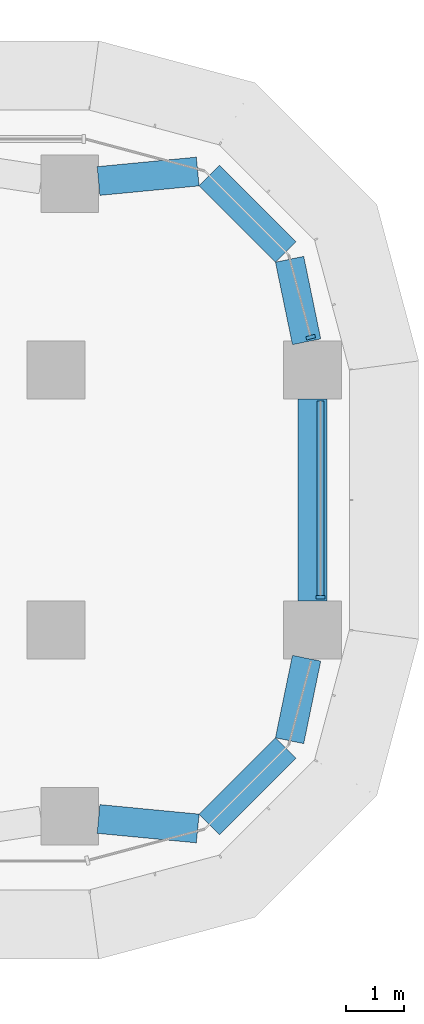
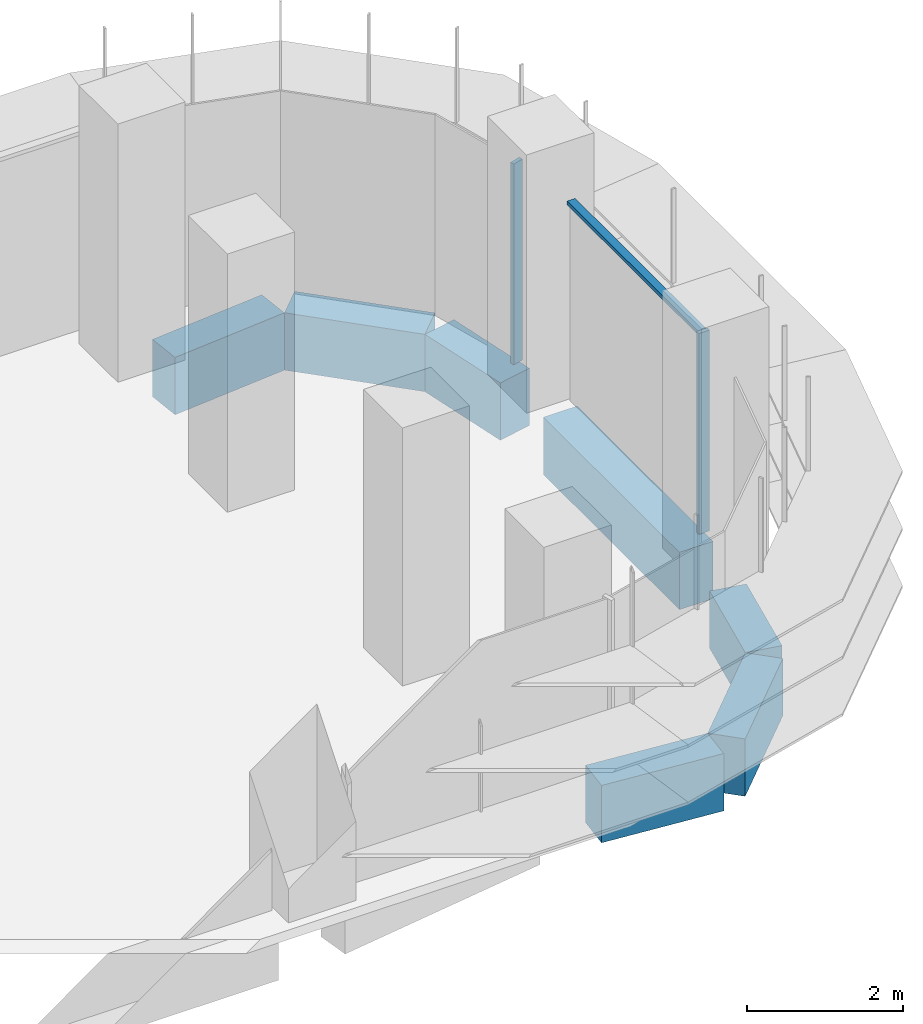
# One storey, part 11 of 23: 7 beams, 3 members, 2 elements without a shape of their own.
"""IFC4 building model written with IfcOpenShell, lengths in metres."""

from ifc_helpers import new_model, si_unit, direction, frame, origin, origin_2d, place, context, subcontext, project, spatial, polyline, rectangle, outline, extrude, source, transform, mapped, material, material_profile, profile_set, type_object, element, aggregate, save


model = new_model("IFC4")

# Units and contexts
model_context = context("Model", 3, precision=1e-05, world=origin(), true_north=direction((0.0, 1.0)))
body_context = subcontext(model_context, "Body", "Model", "MODEL_VIEW")
ifc_project = project(units=[si_unit("LENGTHUNIT", "METRE"), si_unit("AREAUNIT", "SQUARE_METRE"), si_unit("VOLUMEUNIT", "CUBIC_METRE"), si_unit("PLANEANGLEUNIT", "RADIAN"), si_unit("MASSUNIT", "GRAM", prefix="KILO")], contexts=[model_context])

# Site, building, storey
site_placement = place(None, origin())
site = spatial("IfcSite", under=ifc_project, at=site_placement, CompositionType="ELEMENT")
building_placement = place(site_placement, origin())
building = spatial("IfcBuilding", under=site, at=building_placement, Name="Zarbagh Exchange Tower", CompositionType="ELEMENT")
storey_placement = place(building_placement, frame((0.0, 0.0, 77.39990234375)))
storey = spatial("IfcBuildingStorey", under=building, at=storey_placement, Name="L17", CompositionType="ELEMENT", Elevation=77.39990234375)

# Beams
ifc_material_1 = material(Name="Concrete C60/75", Category="concrete")
ifc_material_profile = material_profile(ifc_material_1, rectangle(XDim=0.5, YDim=0.89990234375, at=origin_2d()), Name="RC spandrel beam 500 x 900 C60/75")
ifc_profile_set = profile_set([ifc_material_profile], Name="Concrete C60/75")
beam_type = type_object("IfcBeamType", Name="RC spandrel beam 500 x 900 C60/75", PredefinedType="SPANDREL", material=ifc_profile_set)
beam_1_placement = place(storey_placement, frame((29.40576171875, 5.522705078125, -0.599853515625), z_axis=(0.995431032456, 0.095483294999, 0.0), x_axis=(-0.095483294999, 0.995431032456, 0.0)))
element("IfcBeam", 1, at=beam_1_placement, inside=storey, type_object=beam_type, Name="RC spandrel beam", PredefinedType="SPANDREL", context=body_context, shape_type="SweptSolid", body=[
    extrude(rectangle(XDim=0.5, YDim=0.89990234375, at=origin_2d()), origin(), (0.0, 0.0, 1.0), 1.725830078125),
])
beam_2_placement = place(storey_placement, frame((31.324462890625, 5.615478515625, -0.599853515625), z_axis=(0.707172099812, -0.707041456527, 0.0), x_axis=(0.707041456527, 0.707172099812, 0.0)))
element("IfcBeam", 2, at=beam_2_placement, inside=storey, type_object=beam_type, Name="RC spandrel beam", PredefinedType="SPANDREL", context=body_context, shape_type="SweptSolid", body=[
    extrude(rectangle(XDim=0.5, YDim=0.89990234375, at=origin_2d()), origin(), (0.0, 0.0, 1.0), 1.86865234375),
])
beam_3_placement = place(storey_placement, frame((32.714111328125, 4.16796875, -0.599853515625), z_axis=(0.202068589164, -0.9793713725, 0.0), x_axis=(0.9793713725, 0.202068589164, 0.0)))
element("IfcBeam", 3, at=beam_3_placement, inside=storey, type_object=beam_type, Name="RC spandrel beam", PredefinedType="SPANDREL", context=body_context, shape_type="SweptSolid", body=[
    extrude(rectangle(XDim=0.5, YDim=0.89990234375, at=origin_2d()), origin(), (0.0, 0.0, 1.0), 1.458251953125),
])
beam_4_placement = place(storey_placement, frame((33.110107421875, 1.75, -0.599853515625), z_axis=(0.0, -1.0, 0.0), x_axis=(1.0, 0.0, 0.0)))
element("IfcBeam", 4, at=beam_4_placement, inside=storey, type_object=beam_type, Name="RC spandrel beam", PredefinedType="SPANDREL", context=body_context, shape_type="SweptSolid", body=[
    extrude(rectangle(XDim=0.5, YDim=0.89990234375, at=origin_2d()), origin(), (0.0, 0.0, 1.0), 3.5),
])
beam_5_placement = place(storey_placement, frame((33.0087890625, -2.73974609375, -0.599853515625), z_axis=(-0.202068589164, -0.9793713725, 0.0), x_axis=(0.9793713725, -0.202068589164, 0.0)))
element("IfcBeam", 5, at=beam_5_placement, inside=storey, type_object=beam_type, Name="RC spandrel beam", PredefinedType="SPANDREL", context=body_context, shape_type="SweptSolid", body=[
    extrude(rectangle(XDim=0.5, YDim=0.89990234375, at=origin_2d()), origin(), (0.0, 0.0, 1.0), 1.458251953125),
])
beam_6_placement = place(storey_placement, frame((32.64599609375, -4.294189453125, -0.599853515625), z_axis=(-0.707172099812, -0.707041456527, 0.0), x_axis=(0.707041456527, -0.707172099812, 0.0)))
element("IfcBeam", 6, at=beam_6_placement, inside=storey, type_object=beam_type, Name="RC spandrel beam", PredefinedType="SPANDREL", context=body_context, shape_type="SweptSolid", body=[
    extrude(rectangle(XDim=0.5, YDim=0.89990234375, at=origin_2d()), origin(), (0.0, 0.0, 1.0), 1.86865234375),
])
beam_7_placement = place(storey_placement, frame((31.123779296875, -5.6875, -0.599853515625), z_axis=(-0.995431032456, 0.095483294999, 0.0), x_axis=(-0.095483294999, -0.995431032456, 0.0)))
element("IfcBeam", 7, at=beam_7_placement, inside=storey, type_object=beam_type, Name="RC spandrel beam", PredefinedType="SPANDREL", context=body_context, shape_type="SweptSolid", body=[
    extrude(rectangle(XDim=0.5, YDim=0.89990234375, at=origin_2d()), origin(), (0.0, 0.0, 1.0), 1.725830078125),
])

# Curtain wall, member
ifc_material_2 = material(Name="Anodised aluminium frame and glazing", Category="aluminium")
curtain_wall_type = type_object("IfcCurtainWallType", Name="CWA Ribbon glazing, lower zones", PredefinedType="NOTDEFINED", material=ifc_material_2)
curtain_wall_1_placement = place(storey_placement, origin())
curtain_wall_1 = element("IfcCurtainWall", 8, at=curtain_wall_1_placement, inside=storey, type_object=curtain_wall_type, Name="CWA12 curtain wall", PredefinedType="NOTDEFINED")
ifc_material_3 = material(Name="Anodised aluminium frame", Category="aluminium")
member_type_1 = type_object("IfcMemberType", Name="MUA Mullion, anodised aluminium frame", PredefinedType="MULLION", material=ifc_material_3)
shared_shape_1 = source(origin(), body_context, "Body", "SweptSolid", [
    extrude(outline(polyline([(0.0, -0.080078125), (0.06005859375, -0.080078125), (0.06005859375, 0.080078125), (0.0, 0.080078125), (0.0, -0.080078125)])), origin(), (0.0, 0.0, 1.0), 3.14990234375),
])
placement = place(storey_placement, origin())
member_1 = element("IfcMember", 9, at=placement, type_object=member_type_1, Name="CWA12 mullion 1.1", PredefinedType="MULLION", context=body_context, shape_type="MappedRepresentation", body=[
    mapped(shared_shape_1, transform((33.25, -1.7099609375, 0.0), x_axis=(0.0, 1.0, 0.0), y_axis=(-1.0, 0.0, 0.0), z_axis=(0.0, 0.0, 1.0))),
])

curtain_wall_2_placement = place(storey_placement, origin())
curtain_wall_2 = element("IfcCurtainWall", 10, at=curtain_wall_2_placement, inside=storey, type_object=curtain_wall_type, Name="CWA13 curtain wall", PredefinedType="NOTDEFINED")
member_2 = element("IfcMember", 11, at=placement, type_object=member_type_1, Name="CWA13 mullion 1.1", PredefinedType="MULLION", context=body_context, shape_type="MappedRepresentation", body=[
    mapped(shared_shape_1, transform((33.087646484375, 2.7900390625, 0.0), x_axis=(-0.258824779902, 0.965924289636, 0.0), y_axis=(-0.965924289636, -0.258824779902, 0.0), z_axis=(0.0, 0.0, 1.0))),
])
aggregate(curtain_wall_2, [member_2])

# Member
member_type_2 = type_object("IfcMemberType", Name="TRA Transom, anodised aluminium frame", PredefinedType="USERDEFINED", material=ifc_material_3)
shared_shape_2 = source(origin(), body_context, "Body", "SweptSolid", [
    extrude(outline(polyline([(-0.06005859375, -0.06005859375), (0.0, -0.06005859375), (0.0, 0.06005859375), (-0.06005859375, 0.06005859375), (-0.06005859375, -0.06005859375)])), origin(), (0.0, 0.0, 1.0), 3.360107421875),
])
member_3 = element("IfcMember", 12, at=placement, type_object=member_type_2, Name="CWA12 transom 1.1", ObjectType="TRANSOM", PredefinedType="USERDEFINED", context=body_context, shape_type="MappedRepresentation", body=[
    mapped(shared_shape_2, transform((33.25, -1.64990234375, 3.150146484375), x_axis=(0.0, 0.0, 1.0), y_axis=(1.0, 0.0, 0.0), z_axis=(0.0, 1.0, 0.0))),
])

aggregate(curtain_wall_1, [member_1, member_3])

save(model, "model.ifc")
